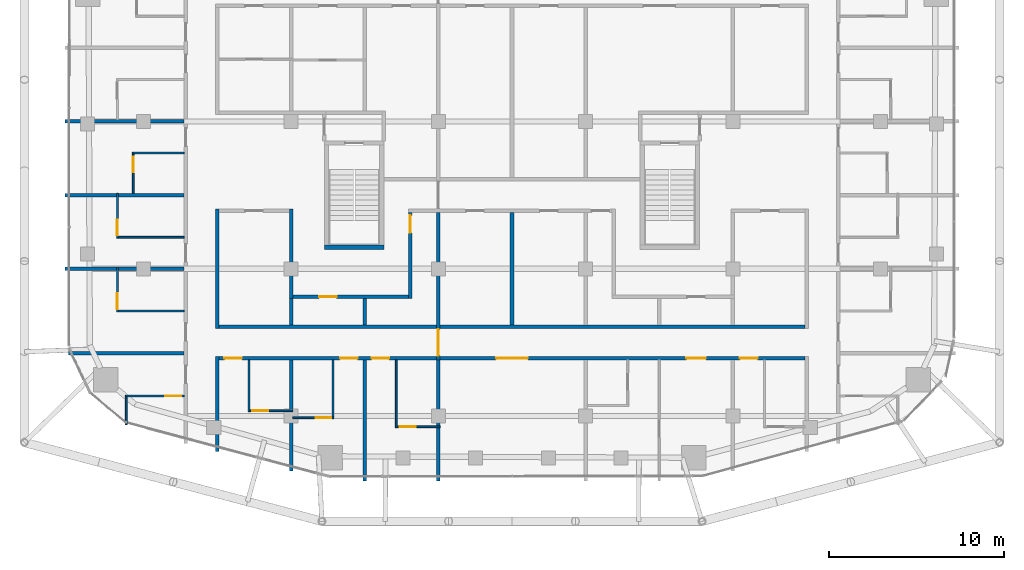
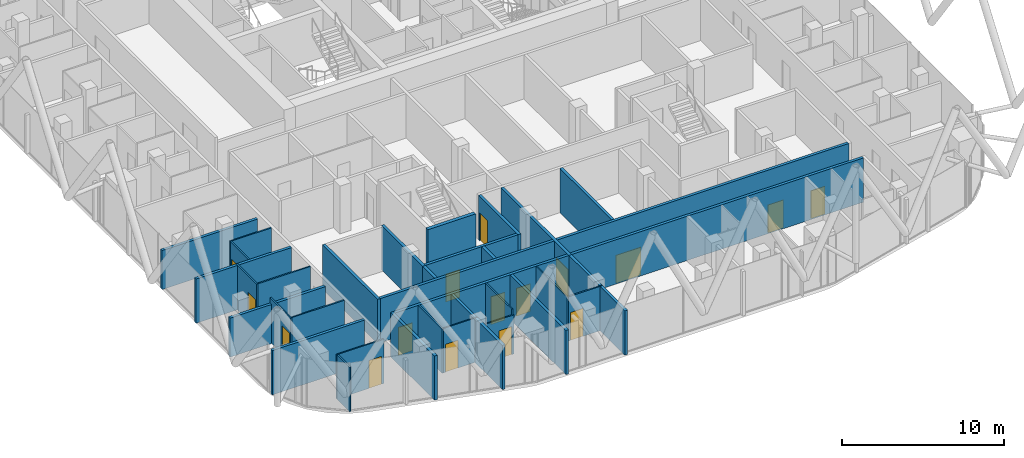
# One storey, part 23 of 31: 33 walls, 16 doors, 16 openings.
"""IFC4 building model written with IfcOpenShell, lengths in metres."""

from ifc_helpers import new_model, si_unit, direction, frame, frame_2d, origin, place, context, subcontext, project, spatial, rectangle, extrude, material, layer, layer_set, type_object, element, fill, save


model = new_model("IFC4")

# Units and contexts
model_context = context("Model", 3, precision=1e-05, world=origin(), true_north=direction((0.0, 1.0)))
body_context = subcontext(model_context, "Body", "Model", "MODEL_VIEW")
ifc_project = project(units=[si_unit("LENGTHUNIT", "METRE"), si_unit("AREAUNIT", "SQUARE_METRE"), si_unit("VOLUMEUNIT", "CUBIC_METRE"), si_unit("PLANEANGLEUNIT", "RADIAN"), si_unit("MASSUNIT", "GRAM", prefix="KILO")], contexts=[model_context])

# Site, building, storey
site_placement = place(None, origin())
site = spatial("IfcSite", under=ifc_project, at=site_placement, CompositionType="ELEMENT")
building_placement = place(site_placement, origin())
building = spatial("IfcBuilding", under=site, at=building_placement, Name="Marenta Gate Hotel Tower", CompositionType="ELEMENT")
storey_placement = place(building_placement, frame((0.0, 0.0, 191.300048828125)))
storey = spatial("IfcBuildingStorey", under=building, at=storey_placement, Name="L43", CompositionType="ELEMENT", Elevation=191.300048828125)

# Wall
ifc_material_1 = material(Name="Concrete blockwork", Category="masonry")
ifc_layer_1 = layer(ifc_material_1, 0.199951171875)
ifc_layer_set_1 = layer_set([ifc_layer_1], Name="Concrete blockwork")
wall_type_1 = type_object("IfcWallType", Name="Compartment wall 200 REI 180", PredefinedType="PARTITIONING", material=ifc_layer_set_1)
wall_1_placement = place(storey_placement, frame((-4.199951171875, -28.89990234375, 0.0), z_axis=(0.0, 0.0, 1.0), x_axis=(0.0, 1.0, 0.0)))
element("IfcWall", 1, at=wall_1_placement, inside=storey, type_object=wall_type_1, Name="L43-PTN-W079", PredefinedType="PARTITIONING", context=body_context, shape_type="SweptSolid", body=[
    extrude(rectangle(XDim=6.89990234375, YDim=0.199951171875, at=frame_2d((3.449951171875, 0.0))), origin(), (0.0, 0.0, 1.0), 3.33984375),
])

# Wall, opening, door
wall_2_placement = place(storey_placement, frame((-4.199951171875, -22.0, 0.0), z_axis=(0.0, 0.0, 1.0), x_axis=(0.0, 1.0, 0.0)))
wall_2 = element("IfcWall", 2, at=wall_2_placement, inside=storey, type_object=wall_type_1, Name="L43-PTN-W080", PredefinedType="PARTITIONING", context=body_context, shape_type="SweptSolid", body=[
    extrude(rectangle(XDim=8.39990234375, YDim=0.199951171875, at=frame_2d((4.199951171875, 0.0))), origin(), (0.0, 0.0, 1.0), 3.33984375),
])
opening_1_placement = place(wall_2_placement, frame((0.25, 0.0, 0.0)))
opening_1 = element("IfcOpeningElement", 3, at=opening_1_placement, cuts=wall_2, Name="Opening G15-FD4", PredefinedType="OPENING", context=body_context, shape_type="SweptSolid", body=[
    extrude(rectangle(XDim=1.5, YDim=2.10009765625, at=frame_2d((0.75, 1.050048828125))), frame((0.0, 0.10009765625, 0.0), z_axis=(0.0, -1.0, 0.0), x_axis=(1.0, 0.0, 0.0)), (0.0, 0.0, 1.0), 0.199951171875),
])
ifc_material_2 = material(Name="Hollow steel door set", Category="steel")
door_type_1 = type_object("IfcDoorType", Name="Compartment fire door 1500x2100 EI 60", OperationType="DOUBLE_DOOR_DOUBLE_SWING", PredefinedType="DOOR", material=ifc_material_2)
door_1_placement = place(opening_1_placement, origin())
door_1 = element("IfcDoor", 4, at=door_1_placement, inside=storey, type_object=door_type_1, Name="L43-PD-FD04", OperationType="DOUBLE_DOOR_DOUBLE_SWING", OverallHeight=2.10009765625, OverallWidth=1.5, PredefinedType="DOOR", context=body_context, shape_type="SweptSolid", body=[
    extrude(rectangle(XDim=1.5, YDim=2.10009765625, at=frame_2d((0.75, 1.050048828125))), frame((0.0, 0.02490234375, 0.0), z_axis=(0.0, -1.0, 0.0), x_axis=(1.0, 0.0, 0.0)), (0.0, 0.0, 1.0), 0.050048828125),
])
fill(opening_1, door_1)

# Wall
ifc_material_3 = material(Name="Concrete C40", Category="concrete")
ifc_layer_2 = layer(ifc_material_3, 0.25)
ifc_layer_set_2 = layer_set([ifc_layer_2], Name="Concrete C40")
wall_type_2 = type_object("IfcWallType", Name="Remote stair enclosure wall 250 REI 180", PredefinedType="SHEAR", material=ifc_layer_set_2)
wall_3_placement = place(storey_placement, frame((-10.699951171875, -15.574951171875, 0.099853515625), z_axis=(0.0, 0.0, 1.0), x_axis=(1.0, 0.0, 0.0)))
element("IfcWall", 5, at=wall_3_placement, inside=storey, type_object=wall_type_2, Name="L43-RS-Z3-1-W1", PredefinedType="SHEAR", context=body_context, shape_type="SweptSolid", body=[
    extrude(rectangle(XDim=3.39990234375, YDim=0.25, at=frame_2d((1.699951171875, 0.0))), origin(), (0.0, 0.0, 1.0), 3.60009765625),
])

# Wall, openings, doors
ifc_material_4 = material(Name="Gypsum board on steel stud", Category="steel")
ifc_layer_3 = layer(ifc_material_4, 0.199951171875)
ifc_layer_set_3 = layer_set([ifc_layer_3], Name="Gypsum board on steel stud")
wall_type_3 = type_object("IfcWallType", Name="Room corridor wall 200 EI 60", PredefinedType="PARTITIONING", material=ifc_layer_set_3)
wall_4_placement = place(storey_placement, frame((-16.699951171875, -21.89990234375, 0.0), z_axis=(0.0, 0.0, 1.0), x_axis=(1.0, 0.0, 0.0)))
wall_4 = element("IfcWall", 6, at=wall_4_placement, inside=storey, type_object=wall_type_3, Name="L43-PTN-W013", PredefinedType="PARTITIONING", context=body_context, shape_type="SweptSolid", body=[
    extrude(rectangle(XDim=33.39990234375, YDim=0.199951171875, at=frame_2d((16.699951171875, 0.0))), origin(), (0.0, 0.0, 1.0), 3.33984375),
])
opening_2_placement = place(wall_4_placement, frame((0.300048828125, 0.0, 0.0)))
opening_2 = element("IfcOpeningElement", 7, at=opening_2_placement, cuts=wall_4, Name="Opening G15-42", PredefinedType="OPENING", context=body_context, shape_type="SweptSolid", body=[
    extrude(rectangle(XDim=1.0, YDim=2.10009765625, at=frame_2d((0.5, 1.050048828125))), frame((0.0, 0.10009765625, 0.0), z_axis=(0.0, -1.0, 0.0), x_axis=(1.0, 0.0, 0.0)), (0.0, 0.0, 1.0), 0.199951171875),
])
opening_3_placement = place(wall_4_placement, frame((6.89990234375, 0.0, 0.0)))
opening_3 = element("IfcOpeningElement", 8, at=opening_3_placement, cuts=wall_4, Name="Opening G15-44", PredefinedType="OPENING", context=body_context, shape_type="SweptSolid", body=[
    extrude(rectangle(XDim=1.0, YDim=2.10009765625, at=frame_2d((0.5, 1.050048828125))), frame((0.0, 0.10009765625, 0.0), z_axis=(0.0, -1.0, 0.0), x_axis=(1.0, 0.0, 0.0)), (0.0, 0.0, 1.0), 0.199951171875),
])
opening_4_placement = place(wall_4_placement, frame((8.699951171875, 0.0, 0.0)))
opening_4 = element("IfcOpeningElement", 9, at=opening_4_placement, cuts=wall_4, Name="Opening G15-46", PredefinedType="OPENING", context=body_context, shape_type="SweptSolid", body=[
    extrude(rectangle(XDim=1.0, YDim=2.10009765625, at=frame_2d((0.5, 1.050048828125))), frame((0.0, 0.10009765625, 0.0), z_axis=(0.0, -1.0, 0.0), x_axis=(1.0, 0.0, 0.0)), (0.0, 0.0, 1.0), 0.199951171875),
])
opening_5_placement = place(wall_4_placement, frame((15.800048828125, 0.0, 0.0)))
opening_5 = element("IfcOpeningElement", 10, at=opening_5_placement, cuts=wall_4, Name="Opening G15-48", PredefinedType="OPENING", context=body_context, shape_type="SweptSolid", body=[
    extrude(rectangle(XDim=1.800048828125, YDim=2.10009765625, at=frame_2d((0.89990234375, 1.050048828125))), frame((0.0, 0.10009765625, 0.0), z_axis=(0.0, -1.0, 0.0), x_axis=(1.0, 0.0, 0.0)), (0.0, 0.0, 1.0), 0.199951171875),
])
opening_6_placement = place(wall_4_placement, frame((26.64990234375, 0.0, 0.0)))
opening_6 = element("IfcOpeningElement", 11, at=opening_6_placement, cuts=wall_4, Name="Opening G15-49", PredefinedType="OPENING", context=body_context, shape_type="SweptSolid", body=[
    extrude(rectangle(XDim=1.10009765625, YDim=2.10009765625, at=frame_2d((0.550048828125, 1.050048828125))), frame((0.0, 0.10009765625, 0.0), z_axis=(0.0, -1.0, 0.0), x_axis=(1.0, 0.0, 0.0)), (0.0, 0.0, 1.0), 0.199951171875),
])
opening_7_placement = place(wall_4_placement, frame((29.699951171875, 0.0, 0.0)))
opening_7 = element("IfcOpeningElement", 12, at=opening_7_placement, cuts=wall_4, Name="Opening G15-52", PredefinedType="OPENING", context=body_context, shape_type="SweptSolid", body=[
    extrude(rectangle(XDim=1.0, YDim=2.10009765625, at=frame_2d((0.5, 1.050048828125))), frame((0.0, 0.10009765625, 0.0), z_axis=(0.0, -1.0, 0.0), x_axis=(1.0, 0.0, 0.0)), (0.0, 0.0, 1.0), 0.199951171875),
])
ifc_material_5 = material(Name="Timber door leaf", Category="wood")
door_type_2 = type_object("IfcDoorType", Name="Guest room door 1000x2100 EI 30", OperationType="NOTDEFINED", PredefinedType="DOOR", material=ifc_material_5)
door_2_placement = place(opening_2_placement, origin())
door_2 = element("IfcDoor", 13, at=door_2_placement, inside=storey, type_object=door_type_2, Name="L43-PD-D042", OperationType="SINGLE_SWING_RIGHT", OverallHeight=2.10009765625, OverallWidth=1.0, PredefinedType="DOOR", context=body_context, shape_type="SweptSolid", body=[
    extrude(rectangle(XDim=1.0, YDim=2.10009765625, at=frame_2d((0.5, 1.050048828125))), frame((0.0, 0.02490234375, 0.0), z_axis=(0.0, -1.0, 0.0), x_axis=(1.0, 0.0, 0.0)), (0.0, 0.0, 1.0), 0.050048828125),
])
fill(opening_2, door_2)
door_3_placement = place(opening_3_placement, origin())
door_3 = element("IfcDoor", 14, at=door_3_placement, inside=storey, type_object=door_type_2, Name="L43-PD-D044", OperationType="SINGLE_SWING_RIGHT", OverallHeight=2.10009765625, OverallWidth=1.0, PredefinedType="DOOR", context=body_context, shape_type="SweptSolid", body=[
    extrude(rectangle(XDim=1.0, YDim=2.10009765625, at=frame_2d((0.5, 1.050048828125))), frame((0.0, 0.02490234375, 0.0), z_axis=(0.0, -1.0, 0.0), x_axis=(1.0, 0.0, 0.0)), (0.0, 0.0, 1.0), 0.050048828125),
])
fill(opening_3, door_3)
door_4_placement = place(opening_4_placement, origin())
door_4 = element("IfcDoor", 15, at=door_4_placement, inside=storey, type_object=door_type_2, Name="L43-PD-D046", OperationType="SINGLE_SWING_RIGHT", OverallHeight=2.10009765625, OverallWidth=1.0, PredefinedType="DOOR", context=body_context, shape_type="SweptSolid", body=[
    extrude(rectangle(XDim=1.0, YDim=2.10009765625, at=frame_2d((0.5, 1.050048828125))), frame((0.0, 0.02490234375, 0.0), z_axis=(0.0, -1.0, 0.0), x_axis=(1.0, 0.0, 0.0)), (0.0, 0.0, 1.0), 0.050048828125),
])
fill(opening_4, door_4)
door_5_placement = place(opening_7_placement, origin())
door_5 = element("IfcDoor", 16, at=door_5_placement, inside=storey, type_object=door_type_2, Name="L43-PD-D052", OperationType="SINGLE_SWING_RIGHT", OverallHeight=2.10009765625, OverallWidth=1.0, PredefinedType="DOOR", context=body_context, shape_type="SweptSolid", body=[
    extrude(rectangle(XDim=1.0, YDim=2.10009765625, at=frame_2d((0.5, 1.050048828125))), frame((0.0, 0.02490234375, 0.0), z_axis=(0.0, -1.0, 0.0), x_axis=(1.0, 0.0, 0.0)), (0.0, 0.0, 1.0), 0.050048828125),
])
fill(opening_7, door_5)
ifc_material_6 = material(Name="Timber door leaf", Category="wood")
door_type_3 = type_object("IfcDoorType", Name="Guest room door 1100x2100 EI 30", OperationType="NOTDEFINED", PredefinedType="DOOR", material=ifc_material_6)
door_6_placement = place(opening_6_placement, origin())
door_6 = element("IfcDoor", 17, at=door_6_placement, inside=storey, type_object=door_type_3, Name="L43-PD-D049", OperationType="SINGLE_SWING_LEFT", OverallHeight=2.10009765625, OverallWidth=1.10009765625, PredefinedType="DOOR", context=body_context, shape_type="SweptSolid", body=[
    extrude(rectangle(XDim=1.10009765625, YDim=2.10009765625, at=frame_2d((0.550048828125, 1.050048828125))), frame((0.0, 0.02490234375, 0.0), z_axis=(0.0, -1.0, 0.0), x_axis=(1.0, 0.0, 0.0)), (0.0, 0.0, 1.0), 0.050048828125),
])
fill(opening_6, door_6)
ifc_material_7 = material(Name="Timber door leaf", Category="wood")
door_type_4 = type_object("IfcDoorType", Name="Room amenity door 1800x2100 EI 30", OperationType="DOUBLE_DOOR_SINGLE_SWING", PredefinedType="DOOR", material=ifc_material_7)
door_7_placement = place(opening_5_placement, origin())
door_7 = element("IfcDoor", 18, at=door_7_placement, inside=storey, type_object=door_type_4, Name="L43-PD-D048", OperationType="DOUBLE_DOOR_SINGLE_SWING", OverallHeight=2.10009765625, OverallWidth=1.800048828125, PredefinedType="DOOR", context=body_context, shape_type="SweptSolid", body=[
    extrude(rectangle(XDim=1.800048828125, YDim=2.10009765625, at=frame_2d((0.89990234375, 1.050048828125))), frame((0.0, 0.02490234375, 0.0), z_axis=(0.0, -1.0, 0.0), x_axis=(1.0, 0.0, 0.0)), (0.0, 0.0, 1.0), 0.050048828125),
])
fill(opening_5, door_7)

# Wall
wall_5_placement = place(storey_placement, frame((-16.699951171875, -20.10009765625, 0.0), z_axis=(0.0, 0.0, 1.0), x_axis=(1.0, 0.0, 0.0)))
element("IfcWall", 19, at=wall_5_placement, inside=storey, type_object=wall_type_3, Name="L43-PTN-W020", PredefinedType="PARTITIONING", context=body_context, shape_type="SweptSolid", body=[
    extrude(rectangle(XDim=33.39990234375, YDim=0.199951171875, at=frame_2d((16.699951171875, 0.0))), origin(), (0.0, 0.0, 1.0), 3.33984375),
])

# Wall, opening, door
wall_6_placement = place(storey_placement, frame((-12.5, -18.39990234375, 0.0), z_axis=(0.0, 0.0, 1.0), x_axis=(1.0, 0.0, 0.0)))
wall_6 = element("IfcWall", 20, at=wall_6_placement, inside=storey, type_object=wall_type_3, Name="L43-PTN-W024", PredefinedType="PARTITIONING", context=body_context, shape_type="SweptSolid", body=[
    extrude(rectangle(XDim=6.60009765625, YDim=0.199951171875, at=frame_2d((3.300048828125, 0.0))), origin(), (0.0, 0.0, 1.0), 3.33984375),
])
opening_8_placement = place(wall_6_placement, frame((1.5, 0.0, 0.0)))
opening_8 = element("IfcOpeningElement", 21, at=opening_8_placement, cuts=wall_6, Name="Opening G15-11", PredefinedType="OPENING", context=body_context, shape_type="SweptSolid", body=[
    extrude(rectangle(XDim=1.0, YDim=2.10009765625, at=frame_2d((0.5, 1.050048828125))), frame((0.0, 0.10009765625, 0.0), z_axis=(0.0, -1.0, 0.0), x_axis=(1.0, 0.0, 0.0)), (0.0, 0.0, 1.0), 0.199951171875),
])
ifc_material_8 = material(Name="Timber door leaf", Category="wood")
door_type_5 = type_object("IfcDoorType", Name="Room amenity door 1000x2100 EI 30", OperationType="NOTDEFINED", PredefinedType="DOOR", material=ifc_material_8)
door_8_placement = place(opening_8_placement, origin())
door_8 = element("IfcDoor", 22, at=door_8_placement, inside=storey, type_object=door_type_5, Name="L43-PD-D011", OperationType="SINGLE_SWING_RIGHT", OverallHeight=2.10009765625, OverallWidth=1.0, PredefinedType="DOOR", context=body_context, shape_type="SweptSolid", body=[
    extrude(rectangle(XDim=1.0, YDim=2.10009765625, at=frame_2d((0.5, 1.050048828125))), frame((0.0, 0.02490234375, 0.0), z_axis=(0.0, -1.0, 0.0), x_axis=(1.0, 0.0, 0.0)), (0.0, 0.0, 1.0), 0.050048828125),
])
fill(opening_8, door_8)

wall_7_placement = place(storey_placement, frame((-5.800048828125, -18.5, 0.0), z_axis=(0.0, 0.0, 1.0), x_axis=(0.0, 1.0, 0.0)))
wall_7 = element("IfcWall", 23, at=wall_7_placement, inside=storey, type_object=wall_type_3, Name="L43-PTN-W085", PredefinedType="PARTITIONING", context=body_context, shape_type="SweptSolid", body=[
    extrude(rectangle(XDim=4.89990234375, YDim=0.199951171875, at=frame_2d((2.449951171875, 0.0))), origin(), (0.0, 0.0, 1.0), 3.33984375),
])
opening_9_placement = place(wall_7_placement, frame((3.75, 0.0, 0.0)))
opening_9 = element("IfcOpeningElement", 24, at=opening_9_placement, cuts=wall_7, Name="Opening G15-12", PredefinedType="OPENING", context=body_context, shape_type="SweptSolid", body=[
    extrude(rectangle(XDim=1.0, YDim=2.10009765625, at=frame_2d((0.5, 1.050048828125))), frame((0.0, 0.10009765625, 0.0), z_axis=(0.0, -1.0, 0.0), x_axis=(1.0, 0.0, 0.0)), (0.0, 0.0, 1.0), 0.199951171875),
])
door_9_placement = place(opening_9_placement, origin())
door_9 = element("IfcDoor", 25, at=door_9_placement, inside=storey, type_object=door_type_5, Name="L43-PD-D012", OperationType="SINGLE_SWING_RIGHT", OverallHeight=2.10009765625, OverallWidth=1.0, PredefinedType="DOOR", context=body_context, shape_type="SweptSolid", body=[
    extrude(rectangle(XDim=1.0, YDim=2.10009765625, at=frame_2d((0.5, 1.050048828125))), frame((0.0, 0.02490234375, 0.0), z_axis=(0.0, -1.0, 0.0), x_axis=(1.0, 0.0, 0.0)), (0.0, 0.0, 1.0), 0.050048828125),
])
fill(opening_9, door_9)

# Walls
wall_8_placement = place(storey_placement, frame((-12.60009765625, -18.5, 0.0), z_axis=(0.0, 0.0, 1.0), x_axis=(0.0, 1.0, 0.0)))
element("IfcWall", 26, at=wall_8_placement, inside=storey, type_object=wall_type_3, Name="L43-PTN-W102", PredefinedType="PARTITIONING", context=body_context, shape_type="SweptSolid", body=[
    extrude(rectangle(XDim=5.10009765625, YDim=0.199951171875, at=frame_2d((2.550048828125, 0.0))), origin(), (0.0, 0.0, 1.0), 3.33984375),
])
wall_9_placement = place(storey_placement, frame((-16.800048828125, -27.22900390625, 0.0), z_axis=(0.0, 0.0, 1.0), x_axis=(0.0, 1.0, 0.0)))
element("IfcWall", 27, at=wall_9_placement, inside=storey, type_object=wall_type_3, Name="L43-PTN-W106", PredefinedType="PARTITIONING", context=body_context, shape_type="SweptSolid", body=[
    extrude(rectangle(XDim=5.428955078125, YDim=0.199951171875, at=frame_2d((2.71435546875, 0.0))), origin(), (0.0, 0.0, 1.0), 3.33984375),
])
wall_10_placement = place(storey_placement, frame((-16.800048828125, -20.199951171875, 0.0), z_axis=(0.0, 0.0, 1.0), x_axis=(0.0, 1.0, 0.0)))
element("IfcWall", 28, at=wall_10_placement, inside=storey, type_object=wall_type_3, Name="L43-PTN-W107", PredefinedType="PARTITIONING", context=body_context, shape_type="SweptSolid", body=[
    extrude(rectangle(XDim=6.800048828125, YDim=0.199951171875, at=frame_2d((3.39990234375, 0.0))), origin(), (0.0, 0.0, 1.0), 3.33984375),
])

# Wall, opening, door
ifc_material_9 = material(Name="Gypsum board on steel stud", Category="steel")
ifc_layer_4 = layer(ifc_material_9, 0.10009765625)
ifc_layer_set_4 = layer_set([ifc_layer_4], Name="Gypsum board on steel stud")
wall_type_4 = type_object("IfcWallType", Name="Room partition 100", PredefinedType="PARTITIONING", material=ifc_layer_set_4)
wall_11_placement = place(storey_placement, frame((-6.550048828125, -25.800048828125, 0.0), z_axis=(0.0, 0.0, 1.0), x_axis=(1.0, 0.0, 0.0)))
wall_11 = element("IfcWall", 29, at=wall_11_placement, inside=storey, type_object=wall_type_4, Name="L43-PTN-W001", PredefinedType="PARTITIONING", context=body_context, shape_type="SweptSolid", body=[
    extrude(rectangle(XDim=2.449951171875, YDim=0.10009765625, at=frame_2d((1.22509765625, 0.0))), origin(), (0.0, 0.0, 1.0), 3.33984375),
])
opening_10_placement = place(wall_11_placement, frame((0.14990234375, 0.0, 0.0)))
opening_10 = element("IfcOpeningElement", 30, at=opening_10_placement, cuts=wall_11, Name="Opening G15-47", PredefinedType="OPENING", context=body_context, shape_type="SweptSolid", body=[
    extrude(rectangle(XDim=0.89990234375, YDim=2.10009765625, at=frame_2d((0.449951171875, 1.050048828125))), frame((0.0, 0.050048828125, 0.0), z_axis=(0.0, -1.0, 0.0), x_axis=(1.0, 0.0, 0.0)), (0.0, 0.0, 1.0), 0.10009765625),
])
ifc_material_10 = material(Name="Timber door leaf", Category="wood")
door_type_6 = type_object("IfcDoorType", Name="Guest bathroom door 900x2100", OperationType="NOTDEFINED", PredefinedType="DOOR", material=ifc_material_10)
door_10_placement = place(opening_10_placement, origin())
door_10 = element("IfcDoor", 31, at=door_10_placement, inside=storey, type_object=door_type_6, Name="L43-PD-D047", OperationType="SINGLE_SWING_LEFT", OverallHeight=2.10009765625, OverallWidth=0.89990234375, PredefinedType="DOOR", context=body_context, shape_type="SweptSolid", body=[
    extrude(rectangle(XDim=0.89990234375, YDim=2.10009765625, at=frame_2d((0.449951171875, 1.050048828125))), frame((0.0, 0.02490234375, 0.0), z_axis=(0.0, -1.0, 0.0), x_axis=(1.0, 0.0, 0.0)), (0.0, 0.0, 1.0), 0.050048828125),
])
fill(opening_10, door_10)

wall_12_placement = place(storey_placement, frame((-12.5, -25.300048828125, 0.0), z_axis=(0.0, 0.0, 1.0), x_axis=(1.0, 0.0, 0.0)))
wall_12 = element("IfcWall", 32, at=wall_12_placement, inside=storey, type_object=wall_type_4, Name="L43-PTN-W003", PredefinedType="PARTITIONING", context=body_context, shape_type="SweptSolid", body=[
    extrude(rectangle(XDim=2.35009765625, YDim=0.10009765625, at=frame_2d((1.175048828125, 0.0))), origin(), (0.0, 0.0, 1.0), 2.93994140625),
])
opening_11_placement = place(wall_12_placement, frame((1.300048828125, 0.0, 0.0)))
opening_11 = element("IfcOpeningElement", 33, at=opening_11_placement, cuts=wall_12, Name="Opening G15-45", PredefinedType="OPENING", context=body_context, shape_type="SweptSolid", body=[
    extrude(rectangle(XDim=0.89990234375, YDim=2.10009765625, at=frame_2d((0.449951171875, 1.050048828125))), frame((0.0, 0.050048828125, 0.0), z_axis=(0.0, -1.0, 0.0), x_axis=(1.0, 0.0, 0.0)), (0.0, 0.0, 1.0), 0.10009765625),
])
door_11_placement = place(opening_11_placement, origin())
door_11 = element("IfcDoor", 34, at=door_11_placement, inside=storey, type_object=door_type_6, Name="L43-PD-D045", OperationType="SINGLE_SWING_RIGHT", OverallHeight=2.10009765625, OverallWidth=0.89990234375, PredefinedType="DOOR", context=body_context, shape_type="SweptSolid", body=[
    extrude(rectangle(XDim=0.89990234375, YDim=2.10009765625, at=frame_2d((0.449951171875, 1.050048828125))), frame((0.0, 0.02490234375, 0.0), z_axis=(0.0, -1.0, 0.0), x_axis=(1.0, 0.0, 0.0)), (0.0, 0.0, 1.0), 0.050048828125),
])
fill(opening_11, door_11)

wall_13_placement = place(storey_placement, frame((-14.949951171875, -24.89990234375, 0.0), z_axis=(0.0, 0.0, 1.0), x_axis=(1.0, 0.0, 0.0)))
wall_13 = element("IfcWall", 35, at=wall_13_placement, inside=storey, type_object=wall_type_4, Name="L43-PTN-W004", PredefinedType="PARTITIONING", context=body_context, shape_type="SweptSolid", body=[
    extrude(rectangle(XDim=2.449951171875, YDim=0.10009765625, at=frame_2d((1.22509765625, 0.0))), origin(), (0.0, 0.0, 1.0), 3.33984375),
])
opening_12_placement = place(wall_13_placement, frame((0.14990234375, 0.0, 0.0)))
opening_12 = element("IfcOpeningElement", 36, at=opening_12_placement, cuts=wall_13, Name="Opening G15-43", PredefinedType="OPENING", context=body_context, shape_type="SweptSolid", body=[
    extrude(rectangle(XDim=0.89990234375, YDim=2.10009765625, at=frame_2d((0.449951171875, 1.050048828125))), frame((0.0, 0.050048828125, 0.0), z_axis=(0.0, -1.0, 0.0), x_axis=(1.0, 0.0, 0.0)), (0.0, 0.0, 1.0), 0.10009765625),
])
door_12_placement = place(opening_12_placement, origin())
door_12 = element("IfcDoor", 37, at=door_12_placement, inside=storey, type_object=door_type_6, Name="L43-PD-D043", OperationType="SINGLE_SWING_LEFT", OverallHeight=2.10009765625, OverallWidth=0.89990234375, PredefinedType="DOOR", context=body_context, shape_type="SweptSolid", body=[
    extrude(rectangle(XDim=0.89990234375, YDim=2.10009765625, at=frame_2d((0.449951171875, 1.050048828125))), frame((0.0, 0.02490234375, 0.0), z_axis=(0.0, -1.0, 0.0), x_axis=(1.0, 0.0, 0.0)), (0.0, 0.0, 1.0), 0.050048828125),
])
fill(opening_12, door_12)

wall_14_placement = place(storey_placement, frame((-22.050048828125, -24.051025390625, 0.0), z_axis=(0.0, 0.0, 1.0), x_axis=(1.0, 0.0, 0.0)))
wall_14 = element("IfcWall", 38, at=wall_14_placement, inside=storey, type_object=wall_type_4, Name="L43-PTN-W006", PredefinedType="PARTITIONING", context=body_context, shape_type="SweptSolid", body=[
    extrude(rectangle(XDim=3.35009765625, YDim=0.10009765625, at=frame_2d((1.675048828125, 0.0))), origin(), (0.0, 0.0, 1.0), 3.33984375),
])
opening_13_placement = place(wall_14_placement, frame((2.280029296875, 0.0, 0.0)))
opening_13 = element("IfcOpeningElement", 39, at=opening_13_placement, cuts=wall_14, Name="Opening G15-55", PredefinedType="OPENING", context=body_context, shape_type="SweptSolid", body=[
    extrude(rectangle(XDim=0.89990234375, YDim=2.10009765625, at=frame_2d((0.449951171875, 1.050048828125))), frame((0.0, 0.050048828125, 0.0), z_axis=(0.0, -1.0, 0.0), x_axis=(1.0, 0.0, 0.0)), (0.0, 0.0, 1.0), 0.10009765625),
])
door_13_placement = place(opening_13_placement, origin())
door_13 = element("IfcDoor", 40, at=door_13_placement, inside=storey, type_object=door_type_6, Name="L43-PD-D055", OperationType="SINGLE_SWING_LEFT", OverallHeight=2.10009765625, OverallWidth=0.89990234375, PredefinedType="DOOR", context=body_context, shape_type="SweptSolid", body=[
    extrude(rectangle(XDim=0.89990234375, YDim=2.10009765625, at=frame_2d((0.449951171875, 1.050048828125))), frame((0.0, 0.02490234375, 0.0), z_axis=(0.0, -1.0, 0.0), x_axis=(1.0, 0.0, 0.0)), (0.0, 0.0, 1.0), 0.050048828125),
])
fill(opening_13, door_13)

# Walls
for number, where, z_axis, x_axis, name in (
    (41, (-22.449951171875, -19.199951171875, 0.0), (0.0, 0.0, 1.0), (1.0, 0.0, 0.0), "L43-PTN-W021"),
    (42, (-22.449951171875, -15.0, 0.0), (0.0, 0.0, 1.0), (1.0, 0.0, 0.0), "L43-PTN-W032"),
):
    element("IfcWall", number, at=place(storey_placement, frame(where, z_axis=z_axis, x_axis=x_axis)), inside=storey, type_object=wall_type_4, Name=name, PredefinedType="PARTITIONING", context=body_context, shape_type="SweptSolid", body=[
        extrude(rectangle(XDim=3.75, YDim=0.10009765625, at=frame_2d((1.875, 0.0))), origin(), (0.0, 0.0, 1.0), 3.33984375),
    ])
wall_15_placement = place(storey_placement, frame((-21.64990234375, -10.199951171875, 0.0), z_axis=(0.0, 0.0, 1.0), x_axis=(1.0, 0.0, 0.0)))
element("IfcWall", 43, at=wall_15_placement, inside=storey, type_object=wall_type_4, Name="L43-PTN-W047", PredefinedType="PARTITIONING", context=body_context, shape_type="SweptSolid", body=[
    extrude(rectangle(XDim=2.949951171875, YDim=0.10009765625, at=frame_2d((1.47509765625, 0.0))), origin(), (0.0, 0.0, 1.0), 3.33984375),
])
wall_16_placement = place(storey_placement, frame((-6.60009765625, -25.85009765625, 0.0), z_axis=(0.0, 0.0, 1.0), x_axis=(0.0, 1.0, 0.0)))
element("IfcWall", 44, at=wall_16_placement, inside=storey, type_object=wall_type_4, Name="L43-PTN-W086", PredefinedType="PARTITIONING", context=body_context, shape_type="SweptSolid", body=[
    extrude(rectangle(XDim=3.85009765625, YDim=0.10009765625, at=frame_2d((1.925048828125, 0.0))), origin(), (0.0, 0.0, 1.0), 3.33984375),
])
wall_17_placement = place(storey_placement, frame((-10.199951171875, -25.25, 0.0), z_axis=(0.0, 0.0, 1.0), x_axis=(0.0, 1.0, 0.0)))
element("IfcWall", 45, at=wall_17_placement, inside=storey, type_object=wall_type_4, Name="L43-PTN-W095", PredefinedType="PARTITIONING", context=body_context, shape_type="SweptSolid", body=[
    extrude(rectangle(XDim=3.25, YDim=0.10009765625, at=frame_2d((1.625, 0.0))), origin(), (0.0, 0.0, 1.0), 3.33984375),
])
wall_18_placement = place(storey_placement, frame((-15.0, -24.949951171875, 0.0), z_axis=(0.0, 0.0, 1.0), x_axis=(0.0, 1.0, 0.0)))
element("IfcWall", 46, at=wall_18_placement, inside=storey, type_object=wall_type_4, Name="L43-PTN-W105", PredefinedType="PARTITIONING", context=body_context, shape_type="SweptSolid", body=[
    extrude(rectangle(XDim=2.949951171875, YDim=0.10009765625, at=frame_2d((1.47509765625, 0.0))), origin(), (0.0, 0.0, 1.0), 3.33984375),
])

# Wall, opening, door
wall_19_placement = place(storey_placement, frame((-21.60009765625, -12.5, 0.0), z_axis=(0.0, 0.0, 1.0), x_axis=(0.0, 1.0, 0.0)))
wall_19 = element("IfcWall", 47, at=wall_19_placement, inside=storey, type_object=wall_type_4, Name="L43-PTN-W119", PredefinedType="PARTITIONING", context=body_context, shape_type="SweptSolid", body=[
    extrude(rectangle(XDim=2.25, YDim=0.10009765625, at=frame_2d((1.125, 0.0))), origin(), (0.0, 0.0, 1.0), 3.33984375),
])
opening_14_placement = place(wall_19_placement, frame((1.199951171875, 0.0, 0.0)))
opening_14 = element("IfcOpeningElement", 48, at=opening_14_placement, cuts=wall_19, Name="Opening G15-61", PredefinedType="OPENING", context=body_context, shape_type="SweptSolid", body=[
    extrude(rectangle(XDim=0.89990234375, YDim=2.10009765625, at=frame_2d((0.449951171875, 1.050048828125))), frame((0.0, 0.050048828125, 0.0), z_axis=(0.0, -1.0, 0.0), x_axis=(1.0, 0.0, 0.0)), (0.0, 0.0, 1.0), 0.10009765625),
])
door_14_placement = place(opening_14_placement, origin())
door_14 = element("IfcDoor", 49, at=door_14_placement, inside=storey, type_object=door_type_6, Name="L43-PD-D061", OperationType="SINGLE_SWING_LEFT", OverallHeight=2.10009765625, OverallWidth=0.89990234375, PredefinedType="DOOR", context=body_context, shape_type="SweptSolid", body=[
    extrude(rectangle(XDim=0.89990234375, YDim=2.10009765625, at=frame_2d((0.449951171875, 1.050048828125))), frame((0.0, 0.02490234375, 0.0), z_axis=(0.0, -1.0, 0.0), x_axis=(1.0, 0.0, 0.0)), (0.0, 0.0, 1.0), 0.050048828125),
])
fill(opening_14, door_14)

# Wall
wall_20_placement = place(storey_placement, frame((-22.0, -25.68505859375, 0.0), z_axis=(0.0, 0.0, 1.0), x_axis=(0.0, 1.0, 0.0)))
element("IfcWall", 50, at=wall_20_placement, inside=storey, type_object=wall_type_4, Name="L43-PTN-W120", PredefinedType="PARTITIONING", context=body_context, shape_type="SweptSolid", body=[
    extrude(rectangle(XDim=1.583984375, YDim=0.10009765625, at=frame_2d((0.7919921875, 0.0))), origin(), (0.0, 0.0, 1.0), 3.33984375),
])

# Wall, opening, door
wall_21_placement = place(storey_placement, frame((-22.5, -19.25, 0.0), z_axis=(0.0, 0.0, 1.0), x_axis=(0.0, 1.0, 0.0)))
wall_21 = element("IfcWall", 51, at=wall_21_placement, inside=storey, type_object=wall_type_4, Name="L43-PTN-W123", PredefinedType="PARTITIONING", context=body_context, shape_type="SweptSolid", body=[
    extrude(rectangle(XDim=2.550048828125, YDim=0.10009765625, at=frame_2d((1.27490234375, 0.0))), origin(), (0.0, 0.0, 1.0), 3.33984375),
])
opening_15_placement = place(wall_21_placement, frame((0.14990234375, 0.0, 0.0)))
opening_15 = element("IfcOpeningElement", 52, at=opening_15_placement, cuts=wall_21, Name="Opening G15-57", PredefinedType="OPENING", context=body_context, shape_type="SweptSolid", body=[
    extrude(rectangle(XDim=0.89990234375, YDim=2.10009765625, at=frame_2d((0.449951171875, 1.050048828125))), frame((0.0, 0.050048828125, 0.0), z_axis=(0.0, -1.0, 0.0), x_axis=(1.0, 0.0, 0.0)), (0.0, 0.0, 1.0), 0.10009765625),
])
door_15_placement = place(opening_15_placement, origin())
door_15 = element("IfcDoor", 53, at=door_15_placement, inside=storey, type_object=door_type_6, Name="L43-PD-D057", OperationType="SINGLE_SWING_RIGHT", OverallHeight=2.10009765625, OverallWidth=0.89990234375, PredefinedType="DOOR", context=body_context, shape_type="SweptSolid", body=[
    extrude(rectangle(XDim=0.89990234375, YDim=2.10009765625, at=frame_2d((0.449951171875, 1.050048828125))), frame((0.0, 0.02490234375, 0.0), z_axis=(0.0, -1.0, 0.0), x_axis=(1.0, 0.0, 0.0)), (0.0, 0.0, 1.0), 0.050048828125),
])
fill(opening_15, door_15)

wall_22_placement = place(storey_placement, frame((-22.5, -15.050048828125, 0.0), z_axis=(0.0, 0.0, 1.0), x_axis=(0.0, 1.0, 0.0)))
wall_22 = element("IfcWall", 54, at=wall_22_placement, inside=storey, type_object=wall_type_4, Name="L43-PTN-W124", PredefinedType="PARTITIONING", context=body_context, shape_type="SweptSolid", body=[
    extrude(rectangle(XDim=2.550048828125, YDim=0.10009765625, at=frame_2d((1.27490234375, 0.0))), origin(), (0.0, 0.0, 1.0), 3.33984375),
])
opening_16_placement = place(wall_22_placement, frame((0.14990234375, 0.0, 0.0)))
opening_16 = element("IfcOpeningElement", 55, at=opening_16_placement, cuts=wall_22, Name="Opening G15-59", PredefinedType="OPENING", context=body_context, shape_type="SweptSolid", body=[
    extrude(rectangle(XDim=0.89990234375, YDim=2.10009765625, at=frame_2d((0.449951171875, 1.050048828125))), frame((0.0, 0.050048828125, 0.0), z_axis=(0.0, -1.0, 0.0), x_axis=(1.0, 0.0, 0.0)), (0.0, 0.0, 1.0), 0.10009765625),
])
door_16_placement = place(opening_16_placement, origin())
door_16 = element("IfcDoor", 56, at=door_16_placement, inside=storey, type_object=door_type_6, Name="L43-PD-D059", OperationType="SINGLE_SWING_RIGHT", OverallHeight=2.10009765625, OverallWidth=0.89990234375, PredefinedType="DOOR", context=body_context, shape_type="SweptSolid", body=[
    extrude(rectangle(XDim=0.89990234375, YDim=2.10009765625, at=frame_2d((0.449951171875, 1.050048828125))), frame((0.0, 0.02490234375, 0.0), z_axis=(0.0, -1.0, 0.0), x_axis=(1.0, 0.0, 0.0)), (0.0, 0.0, 1.0), 0.050048828125),
])
fill(opening_16, door_16)

# Walls
ifc_material_11 = material(Name="Gypsum board on steel stud", Category="steel")
ifc_layer_5 = layer(ifc_material_11, 0.199951171875)
ifc_layer_set_5 = layer_set([ifc_layer_5], Name="Gypsum board on steel stud")
wall_type_5 = type_object("IfcWallType", Name="Room party wall 200 EI 60", PredefinedType="PARTITIONING", material=ifc_layer_set_5)
wall_23_placement = place(storey_placement, frame((-25.27587890625, -21.625, 0.0), z_axis=(0.0, 0.0, 1.0), x_axis=(1.0, 0.0, 0.0)))
element("IfcWall", 57, at=wall_23_placement, inside=storey, type_object=wall_type_5, Name="L43-PTN-W014", PredefinedType="PARTITIONING", context=body_context, shape_type="SweptSolid", body=[
    extrude(rectangle(XDim=6.575927734375, YDim=0.199951171875, at=frame_2d((3.2880859375, 0.0))), origin(), (0.0, 0.0, 1.0), 3.33984375),
])
wall_24_placement = place(storey_placement, frame((-25.5, -16.800048828125, 0.0), z_axis=(0.0, 0.0, 1.0), x_axis=(1.0, 0.0, 0.0)))
element("IfcWall", 58, at=wall_24_placement, inside=storey, type_object=wall_type_5, Name="L43-PTN-W030", PredefinedType="PARTITIONING", context=body_context, shape_type="SweptSolid", body=[
    extrude(rectangle(XDim=6.800048828125, YDim=0.199951171875, at=frame_2d((3.39990234375, 0.0))), origin(), (0.0, 0.0, 1.0), 2.93994140625),
])
wall_25_placement = place(storey_placement, frame((-25.5, -12.60009765625, 0.0), z_axis=(0.0, 0.0, 1.0), x_axis=(1.0, 0.0, 0.0)))
element("IfcWall", 59, at=wall_25_placement, inside=storey, type_object=wall_type_5, Name="L43-PTN-W043", PredefinedType="PARTITIONING", context=body_context, shape_type="SweptSolid", body=[
    extrude(rectangle(XDim=6.800048828125, YDim=0.199951171875, at=frame_2d((3.39990234375, 0.0))), origin(), (0.0, 0.0, 1.0), 3.33984375),
])
wall_26_placement = place(storey_placement, frame((-25.5, -8.39990234375, 0.0), z_axis=(0.0, 0.0, 1.0), x_axis=(1.0, 0.0, 0.0)))
element("IfcWall", 60, at=wall_26_placement, inside=storey, type_object=wall_type_5, Name="L43-PTN-W051", PredefinedType="PARTITIONING", context=body_context, shape_type="SweptSolid", body=[
    extrude(rectangle(XDim=6.800048828125, YDim=0.199951171875, at=frame_2d((3.39990234375, 0.0))), origin(), (0.0, 0.0, 1.0), 2.93994140625),
])
wall_27_placement = place(storey_placement, frame((0.0, -20.0, 0.0), z_axis=(0.0, 0.0, 1.0), x_axis=(0.0, 1.0, 0.0)))
element("IfcWall", 61, at=wall_27_placement, inside=storey, type_object=wall_type_5, Name="L43-PTN-W073", PredefinedType="PARTITIONING", context=body_context, shape_type="SweptSolid", body=[
    extrude(rectangle(XDim=6.39990234375, YDim=0.199951171875, at=frame_2d((3.199951171875, 0.0))), origin(), (0.0, 0.0, 1.0), 3.33984375),
])
wall_28_placement = place(storey_placement, frame((-8.39990234375, -28.89990234375, 0.0), z_axis=(0.0, 0.0, 1.0), x_axis=(0.0, 1.0, 0.0)))
element("IfcWall", 62, at=wall_28_placement, inside=storey, type_object=wall_type_5, Name="L43-PTN-W090", PredefinedType="PARTITIONING", context=body_context, shape_type="SweptSolid", body=[
    extrude(rectangle(XDim=6.89990234375, YDim=0.199951171875, at=frame_2d((3.449951171875, 0.0))), origin(), (0.0, 0.0, 1.0), 3.33984375),
])
wall_29_placement = place(storey_placement, frame((-8.39990234375, -20.0, 0.0), z_axis=(0.0, 0.0, 1.0), x_axis=(0.0, 1.0, 0.0)))
element("IfcWall", 63, at=wall_29_placement, inside=storey, type_object=wall_type_5, Name="L43-PTN-W091", PredefinedType="PARTITIONING", context=body_context, shape_type="SweptSolid", body=[
    extrude(rectangle(XDim=1.5, YDim=0.199951171875, at=frame_2d((0.75, 0.0))), origin(), (0.0, 0.0, 1.0), 3.33984375),
])
wall_30_placement = place(storey_placement, frame((-12.60009765625, -28.343017578125, 0.0), z_axis=(0.0, 0.0, 1.0), x_axis=(0.0, 1.0, 0.0)))
element("IfcWall", 64, at=wall_30_placement, inside=storey, type_object=wall_type_5, Name="L43-PTN-W098", PredefinedType="PARTITIONING", context=body_context, shape_type="SweptSolid", body=[
    extrude(rectangle(XDim=6.343017578125, YDim=0.199951171875, at=frame_2d((3.17138671875, 0.0))), origin(), (0.0, 0.0, 1.0), 3.33984375),
])
wall_31_placement = place(storey_placement, frame((-12.60009765625, -20.0, 0.0), z_axis=(0.0, 0.0, 1.0), x_axis=(0.0, 1.0, 0.0)))
element("IfcWall", 65, at=wall_31_placement, inside=storey, type_object=wall_type_5, Name="L43-PTN-W099", PredefinedType="PARTITIONING", context=body_context, shape_type="SweptSolid", body=[
    extrude(rectangle(XDim=1.5, YDim=0.199951171875, at=frame_2d((0.75, 0.0))), origin(), (0.0, 0.0, 1.0), 3.33984375),
])

save(model, "model.ifc")
